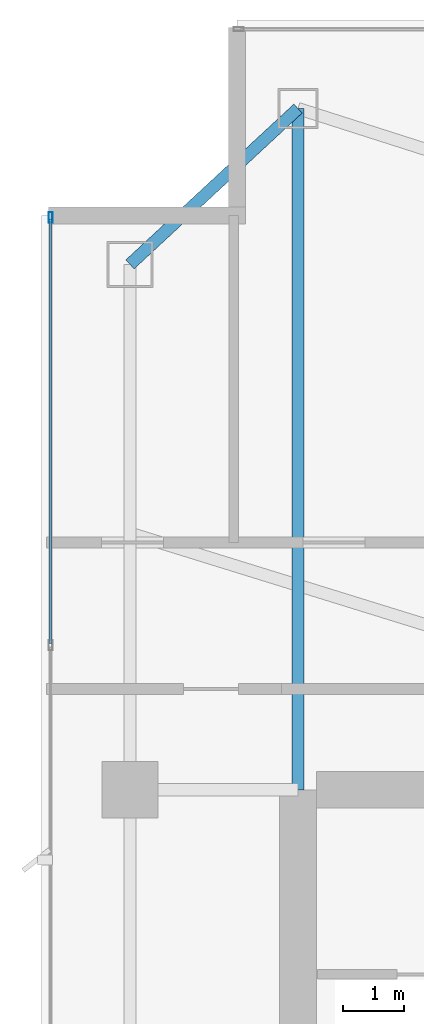
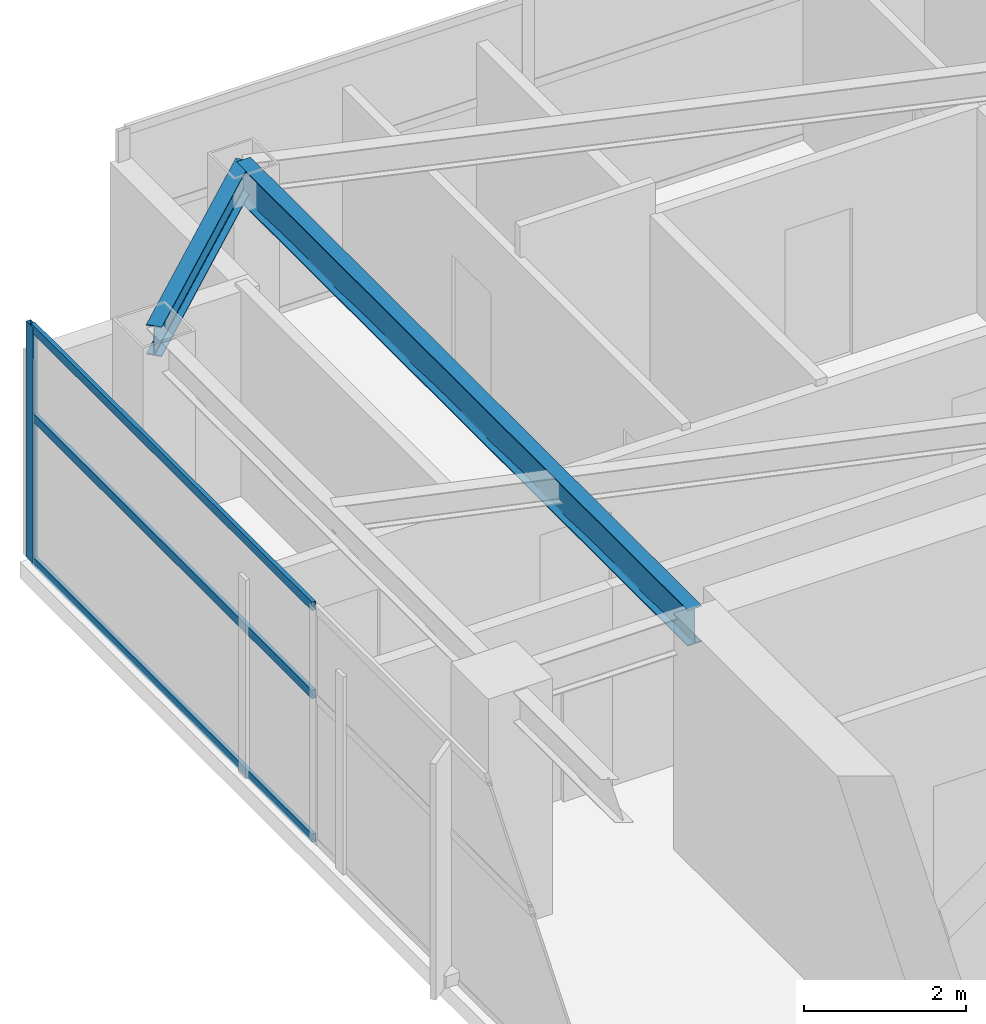
# One storey, part 17 of 27: 4 members, 2 beams, 1 element without a shape of its own.
"""IFC4 building model written with IfcOpenShell, lengths in metres."""

from ifc_helpers import new_model, si_unit, direction, frame, origin, origin_2d, place, context, subcontext, project, spatial, hollow_rectangle, i_section, extrude, material, layer, layer_set, material_profile, profile_set, type_object, element, aggregate, save


model = new_model("IFC4")

# Units and contexts
model_context = context("Model", 3, precision=1e-05, world=origin(), true_north=direction((0.0, 1.0)))
body_context = subcontext(model_context, "Body", "Model", "MODEL_VIEW")
ifc_project = project(units=[si_unit("LENGTHUNIT", "METRE"), si_unit("AREAUNIT", "SQUARE_METRE"), si_unit("VOLUMEUNIT", "CUBIC_METRE"), si_unit("PLANEANGLEUNIT", "RADIAN"), si_unit("MASSUNIT", "GRAM", prefix="KILO")], contexts=[model_context])

# Site, building, storey
site_placement = place(None, origin())
site = spatial("IfcSite", under=ifc_project, at=site_placement, CompositionType="ELEMENT")
building_placement = place(site_placement, origin())
building = spatial("IfcBuilding", under=site, at=building_placement, Name="Calvorn Quay Hotel", CompositionType="ELEMENT")
storey_placement = place(building_placement, frame((0.0, 0.0, 298.699951171875)))
storey = spatial("IfcBuildingStorey", under=building, at=storey_placement, Name="L74", CompositionType="ELEMENT", Elevation=298.699951171875)

# Beams
ifc_material_1 = material(Name="Steel Q355B", Category="steel")
ifc_material_profile_1 = material_profile(ifc_material_1, i_section(OverallWidth=0.199951171875, OverallDepth=0.550048828125, WebThickness=0.010009765625, FlangeThickness=0.01611328125, FilletRadius=0.01806640625, at=origin_2d()), Name="HN550x200x10x16")
ifc_profile_set_1 = profile_set([ifc_material_profile_1], Name="Steel Q355B")
beam_type_1 = type_object("IfcBeamType", Name="BM-GIRD-UPP", PredefinedType="BEAM", material=ifc_profile_set_1)
beam_1_placement = place(storey_placement, frame((4.199951171875, 49.550048828125, 3.26513671875), z_axis=(0.0, -1.0, 0.0), x_axis=(1.0, 0.0, 0.0)))
element("IfcBeam", 1, at=beam_1_placement, inside=storey, type_object=beam_type_1, Name="Beam BG-L74-W5", PredefinedType="BEAM", context=body_context, shape_type="SweptSolid", body=[
    extrude(i_section(OverallWidth=0.199951171875, OverallDepth=0.550048828125, WebThickness=0.010009765625, FlangeThickness=0.01611328125, FilletRadius=0.01806640625, at=origin_2d()), origin(), (0.0, 0.0, 1.0), 11.150146484375),
])
ifc_material_2 = material(Name="Steel Q355B", Category="steel")
ifc_material_profile_2 = material_profile(ifc_material_2, i_section(OverallWidth=0.199951171875, OverallDepth=0.449951171875, WebThickness=0.009033203125, FlangeThickness=0.013916015625, FilletRadius=0.01611328125, at=origin_2d()), Name="HN450x200x9x14")
ifc_profile_set_2 = profile_set([ifc_material_profile_2], Name="Steel Q355B")
beam_type_2 = type_object("IfcBeamType", Name="BM-SPANDREL-Z3", PredefinedType="SPANDREL", material=ifc_profile_set_2)
beam_2_placement = place(storey_placement, frame((1.449951171875, 47.0, 3.31494140625), z_axis=(0.733261665538, 0.679946563969, 0.0), x_axis=(-0.679946563969, 0.733261665538, 0.0)))
element("IfcBeam", 2, at=beam_2_placement, inside=storey, type_object=beam_type_2, Name="Beam BSP-L74-W5", PredefinedType="SPANDREL", context=body_context, shape_type="SweptSolid", body=[
    extrude(i_section(OverallWidth=0.199951171875, OverallDepth=0.449951171875, WebThickness=0.009033203125, FlangeThickness=0.013916015625, FilletRadius=0.01611328125, at=origin_2d()), origin(), (0.0, 0.0, 1.0), 3.75048828125),
])

# Curtain wall, members
ifc_material_3 = material(Name="Champagne Bronze Anodised Aluminium and Low-E Glass", Category="aluminium")
ifc_layer = layer(ifc_material_3, 0.219970703125)
ifc_layer_set = layer_set([ifc_layer], Name="CW-SYS-Z4")
curtain_wall_type = type_object("IfcCurtainWallType", Name="CW-SYS-Z4", PredefinedType="NOTDEFINED", material=ifc_layer_set)
curtain_wall_placement = place(storey_placement, origin())
curtain_wall = element("IfcCurtainWall", 3, at=curtain_wall_placement, inside=storey, type_object=curtain_wall_type, Name="Tower West Curtain Wall (L74)", PredefinedType="NOTDEFINED")
ifc_material_4 = material(Name="Champagne Bronze Anodised Aluminium 6063-T6", Category="aluminium")
ifc_material_profile_3 = material_profile(ifc_material_4, hollow_rectangle(XDim=0.06494140625, YDim=0.169921875, WallThickness=0.00341796875, at=origin_2d()), Name="ALU-M170x65x3.5")
ifc_profile_set_3 = profile_set([ifc_material_profile_3], Name="Champagne Bronze Anodised Aluminium 6063-T6")
member_type_1 = type_object("IfcMemberType", Name="CW-SYS-Z4-MUL", PredefinedType="MULLION", material=ifc_profile_set_3)
member_1_placement = place(storey_placement, frame((0.14990234375, 47.77001953125, 0.0), z_axis=(0.0, 0.0, 1.0), x_axis=(-1.0, 0.0, 0.0)))
member_1 = element("IfcMember", 4, at=member_1_placement, type_object=member_type_1, Name="CW-L74-W mullion 7", PredefinedType="MULLION", context=body_context, shape_type="SweptSolid", body=[
    extrude(hollow_rectangle(XDim=0.06494140625, YDim=0.169921875, WallThickness=0.00341796875, at=origin_2d()), origin(), (0.0, 0.0, 1.0), 3.56005859375),
])
ifc_material_5 = material(Name="Champagne Bronze Anodised Aluminium 6063-T6", Category="aluminium")
ifc_material_profile_4 = material_profile(ifc_material_5, hollow_rectangle(XDim=0.054931640625, YDim=0.1298828125, WallThickness=0.003173828125, at=origin_2d()), Name="ALU-T130x55x3.2")
ifc_profile_set_4 = profile_set([ifc_material_profile_4], Name="Champagne Bronze Anodised Aluminium 6063-T6")
member_type_2 = type_object("IfcMemberType", Name="CW-SYS-Z4-TRN", PredefinedType="USERDEFINED", material=ifc_profile_set_4)
member_2_placement = place(storey_placement, frame((0.14990234375, 40.796630859375, 0.030029296875), z_axis=(0.0, 1.0, 0.0), x_axis=(-1.0, 0.0, 0.0)))
member_2 = element("IfcMember", 5, at=member_2_placement, type_object=member_type_2, Name="CW-L74-W transom 6.1", ObjectType="TRANSOM", PredefinedType="USERDEFINED", context=body_context, shape_type="SweptSolid", body=[
    extrude(hollow_rectangle(XDim=0.054931640625, YDim=0.1298828125, WallThickness=0.003173828125, at=origin_2d()), origin(), (0.0, 0.0, 1.0), 6.943359375),
])
member_3_placement = place(storey_placement, frame((0.14990234375, 40.796630859375, 2.199951171875), z_axis=(0.0, 1.0, 0.0), x_axis=(-1.0, 0.0, 0.0)))
member_3 = element("IfcMember", 6, at=member_3_placement, type_object=member_type_2, Name="CW-L74-W transom 6.2", ObjectType="TRANSOM", PredefinedType="USERDEFINED", context=body_context, shape_type="SweptSolid", body=[
    extrude(hollow_rectangle(XDim=0.054931640625, YDim=0.1298828125, WallThickness=0.003173828125, at=origin_2d()), origin(), (0.0, 0.0, 1.0), 6.943359375),
])
member_4_placement = place(storey_placement, frame((0.14990234375, 40.796630859375, 3.530029296875), z_axis=(0.0, 1.0, 0.0), x_axis=(-1.0, 0.0, 0.0)))
member_4 = element("IfcMember", 7, at=member_4_placement, type_object=member_type_2, Name="CW-L74-W transom 6.3", ObjectType="TRANSOM", PredefinedType="USERDEFINED", context=body_context, shape_type="SweptSolid", body=[
    extrude(hollow_rectangle(XDim=0.054931640625, YDim=0.1298828125, WallThickness=0.003173828125, at=origin_2d()), origin(), (0.0, 0.0, 1.0), 6.943359375),
])
aggregate(curtain_wall, [member_1, member_2, member_3, member_4])

save(model, "model.ifc")
